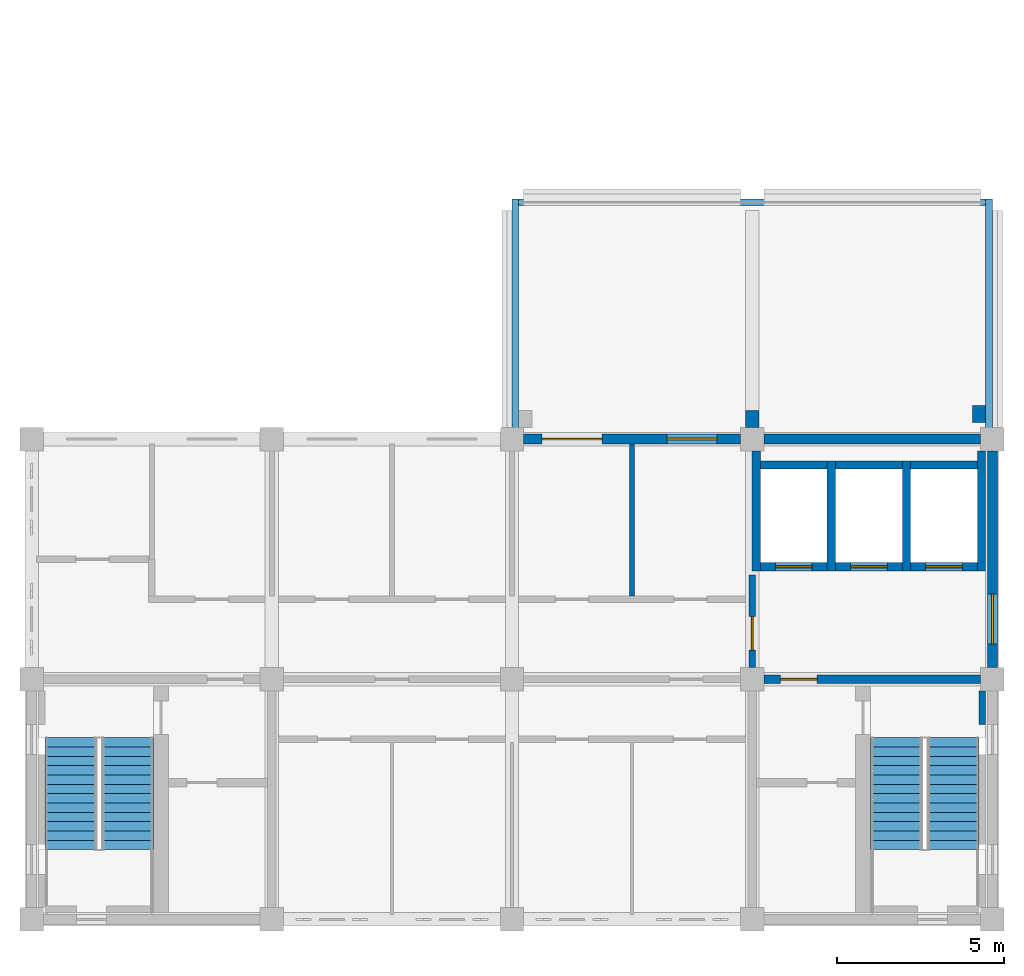
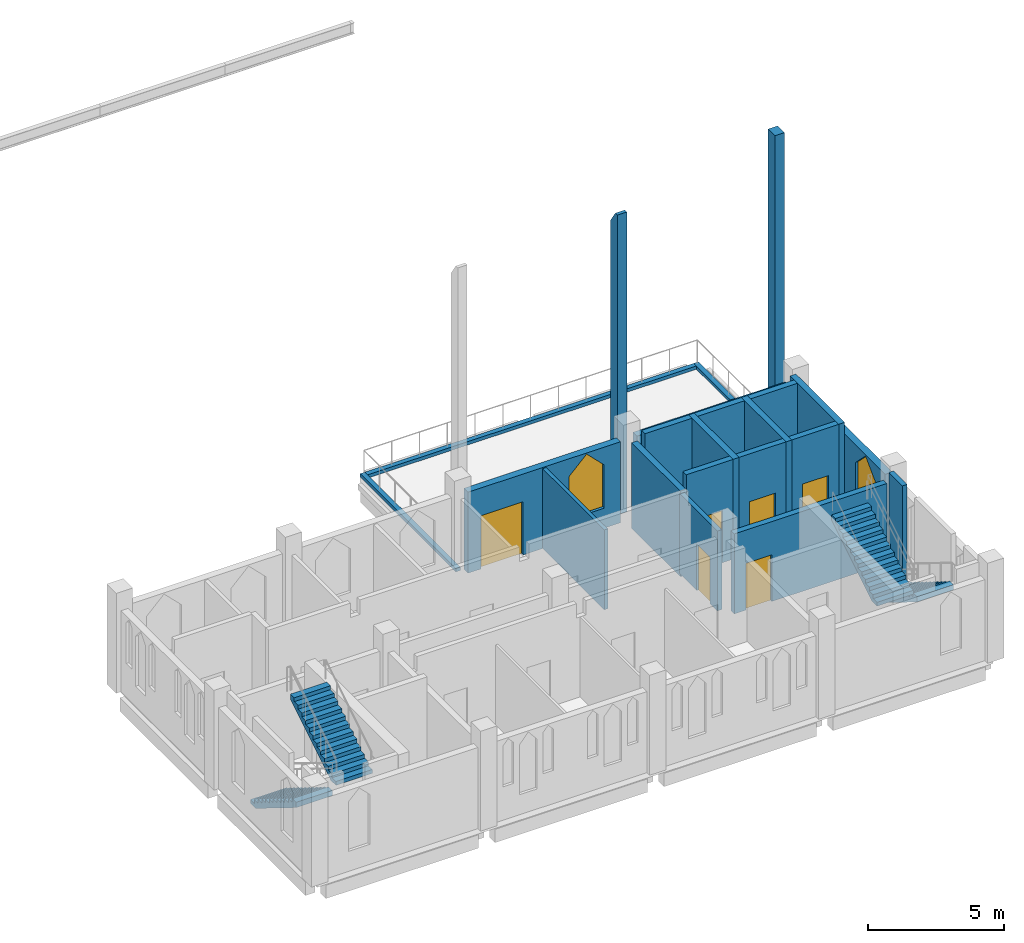
# One storey, part 4 of 5: 22 walls, 6 doors, 4 stair flights, 2 windows, 8 openings, 2 elements without a shape of their own.
"""IFC4 building model written with IfcOpenShell, lengths in metres."""

from ifc_helpers import new_model, si_unit, direction, frame, frame_2d, origin, place, context, subcontext, project, spatial, polyline, rectangle, outline, extrude, material, layer, layer_set, type_object, element, fill, aggregate, save


model = new_model("IFC4")

# Units and contexts
model_context = context("Model", 3, precision=1e-05, world=origin(), true_north=direction((0.0, 1.0)))
body_context = subcontext(model_context, "Body", "Model", "MODEL_VIEW")
ifc_project = project(units=[si_unit("LENGTHUNIT", "METRE"), si_unit("AREAUNIT", "SQUARE_METRE"), si_unit("VOLUMEUNIT", "CUBIC_METRE"), si_unit("PLANEANGLEUNIT", "RADIAN"), si_unit("MASSUNIT", "GRAM", prefix="KILO")], contexts=[model_context])

# Site, building, storey
site_placement = place(None, origin())
site = spatial("IfcSite", under=ifc_project, at=site_placement, CompositionType="ELEMENT")
building_placement = place(site_placement, origin())
building = spatial("IfcBuilding", under=site, at=building_placement, Name="Silangan Lancet Faculty of Sciences", CompositionType="ELEMENT")
storey_placement = place(building_placement, frame((0.0, 0.0, 67.800048828125)))
storey = spatial("IfcBuildingStorey", under=building, at=storey_placement, Name="L14", CompositionType="ELEMENT", Elevation=67.800048828125)

# Wall, opening, window
ifc_material_1 = material(Name="Concrete C40/50 precast", Category="concrete")
ifc_layer_1 = layer(ifc_material_1, 0.300048828125)
ifc_layer_set_1 = layer_set([ifc_layer_1], Name="Concrete C40/50 precast")
wall_type_1 = type_object("IfcWallType", Name="EW1 Precast cladding wall", PredefinedType="STANDARD", material=ifc_layer_set_1)
wall_1_placement = place(storey_placement, frame((28.800048828125, 7.550048828125, 0.0), z_axis=(0.0, 0.0, 1.0), x_axis=(0.0, 1.0, 0.0)))
wall_1 = element("IfcWall", 1, at=wall_1_placement, inside=storey, type_object=wall_type_1, Name="EW-L14-E-ST-U-01", PredefinedType="STANDARD", context=body_context, shape_type="SweptSolid", body=[
    extrude(rectangle(XDim=6.5, YDim=0.300048828125, at=frame_2d((3.25, 0.0))), origin(), (0.0, 0.0, 1.0), 3.64990234375),
])
opening_1_placement = place(wall_1_placement, frame((0.699951171875, 0.0, 0.89990234375)))
opening_1 = element("IfcOpeningElement", 2, at=opening_1_placement, cuts=wall_1, Name="Opening W23", PredefinedType="OPENING", context=body_context, shape_type="SweptSolid", body=[
    extrude(outline(polyline([(0.0, 0.0), (1.5, 0.0), (1.5, 1.949951171875), (0.75, 2.699951171875), (0.0, 1.949951171875), (0.0, 0.0)])), frame((0.0, 0.159912109375, 0.0), z_axis=(0.0, -1.0, 0.0), x_axis=(1.0, 0.0, 0.0)), (0.0, 0.0, 1.0), 0.320068359375),
])
ifc_material_2 = material(Name="Aluminium frame, laminated double glazing", Category="aluminium")
window_type = type_object("IfcWindowType", Name="W23 Lancet window 1500 x 2700", PartitioningType="SINGLE_PANEL", PredefinedType="WINDOW", material=ifc_material_2)
window_1_placement = place(opening_1_placement, origin())
window_1 = element("IfcWindow", 3, at=window_1_placement, inside=storey, type_object=window_type, Name="WIN-L14-E-ST-U-01a", OverallHeight=2.699951171875, OverallWidth=1.5, PartitioningType="SINGLE_PANEL", PredefinedType="WINDOW", context=body_context, shape_type="SweptSolid", body=[
    extrude(outline(polyline([(0.0, 0.0), (1.5, 0.0), (1.5, 1.949951171875), (0.75, 2.699951171875), (0.0, 1.949951171875), (0.0, 0.0)])), frame((0.0, 0.030029296875, 0.0), z_axis=(0.0, -1.0, 0.0), x_axis=(1.0, 0.0, 0.0)), (0.0, 0.0, 1.0), 0.06005859375),
])
fill(opening_1, window_1)

# Wall
wall_2_placement = place(storey_placement, frame((28.449951171875, 14.39990234375, 0.0), z_axis=(0.0, 0.0, 1.0), x_axis=(-1.0, 0.0, 0.0)))
element("IfcWall", 4, at=wall_2_placement, inside=storey, type_object=wall_type_1, Name="EW-L14-N-ST-U-00", PredefinedType="STANDARD", context=body_context, shape_type="SweptSolid", body=[
    extrude(rectangle(XDim=6.5, YDim=0.300048828125, at=frame_2d((3.25, 0.0))), origin(), (0.0, 0.0, 1.0), 3.64990234375),
])

# Wall, openings, window, door
wall_3_placement = place(storey_placement, frame((21.25, 14.39990234375, 0.0), z_axis=(0.0, 0.0, 1.0), x_axis=(-1.0, 0.0, 0.0)))
wall_3 = element("IfcWall", 5, at=wall_3_placement, inside=storey, type_object=wall_type_1, Name="EW-L14-N-ST-U-01", PredefinedType="STANDARD", context=body_context, shape_type="SweptSolid", body=[
    extrude(rectangle(XDim=6.5, YDim=0.300048828125, at=frame_2d((3.25, 0.0))), origin(), (0.0, 0.0, 1.0), 3.64990234375),
])
opening_2_placement = place(wall_3_placement, frame((4.14990234375, 0.0, 0.0)))
opening_2 = element("IfcOpeningElement", 6, at=opening_2_placement, cuts=wall_3, Name="Opening L14-901", PredefinedType="OPENING", context=body_context, shape_type="SweptSolid", body=[
    extrude(rectangle(XDim=1.800048828125, YDim=2.39990234375, at=frame_2d((0.89990234375, 1.199951171875))), frame((0.0, 0.159912109375, 0.0), z_axis=(0.0, -1.0, 0.0), x_axis=(1.0, 0.0, 0.0)), (0.0, 0.0, 1.0), 0.320068359375),
])
opening_3_placement = place(wall_3_placement, frame((0.699951171875, 0.0, 0.89990234375)))
opening_3 = element("IfcOpeningElement", 7, at=opening_3_placement, cuts=wall_3, Name="Opening W23", PredefinedType="OPENING", context=body_context, shape_type="SweptSolid", body=[
    extrude(outline(polyline([(0.0, 0.0), (1.5, 0.0), (1.5, 1.949951171875), (0.75, 2.699951171875), (0.0, 1.949951171875), (0.0, 0.0)])), frame((0.0, 0.159912109375, 0.0), z_axis=(0.0, -1.0, 0.0), x_axis=(1.0, 0.0, 0.0)), (0.0, 0.0, 1.0), 0.320068359375),
])
window_2_placement = place(opening_3_placement, origin())
window_2 = element("IfcWindow", 8, at=window_2_placement, inside=storey, type_object=window_type, Name="WIN-L14-N-ST-U-01a", OverallHeight=2.699951171875, OverallWidth=1.5, PartitioningType="SINGLE_PANEL", PredefinedType="WINDOW", context=body_context, shape_type="SweptSolid", body=[
    extrude(outline(polyline([(0.0, 0.0), (1.5, 0.0), (1.5, 1.949951171875), (0.75, 2.699951171875), (0.0, 1.949951171875), (0.0, 0.0)])), frame((0.0, 0.030029296875, 0.0), z_axis=(0.0, -1.0, 0.0), x_axis=(1.0, 0.0, 0.0)), (0.0, 0.0, 1.0), 0.06005859375),
])
fill(opening_3, window_2)
ifc_material_3 = material(Name="Aluminium frame, laminated glazing", Category="aluminium")
door_type_1 = type_object("IfcDoorType", Name="XD3 Terrace door pair 1800 x 2400", OperationType="DOUBLE_DOOR_SINGLE_SWING", PredefinedType="DOOR", material=ifc_material_3)
door_1_placement = place(opening_2_placement, frame((1.800048828125, 0.0, 0.0), z_axis=(0.0, 0.0, 1.0), x_axis=(-1.0, 0.0, 0.0)))
door_1 = element("IfcDoor", 9, at=door_1_placement, inside=storey, type_object=door_type_1, Name="DOOR-L14-901", OperationType="DOUBLE_DOOR_SINGLE_SWING", OverallHeight=2.39990234375, OverallWidth=1.800048828125, PredefinedType="DOOR", context=body_context, shape_type="SweptSolid", body=[
    extrude(rectangle(XDim=1.800048828125, YDim=2.39990234375, at=frame_2d((0.89990234375, 1.199951171875))), frame((0.0, 0.025146484375, 0.0), z_axis=(0.0, -1.0, 0.0), x_axis=(1.0, 0.0, 0.0)), (0.0, 0.0, 1.0), 0.050048828125),
])
fill(opening_2, door_1)

# Walls
ifc_material_4 = material(Name="Concrete C40/50 precast", Category="concrete")
ifc_layer_2 = layer(ifc_material_4, 0.39990234375)
ifc_layer_set_2 = layer_set([ifc_layer_2], Name="Concrete C40/50 precast")
wall_type_2 = type_object("IfcWallType", Name="FN34 Buttress Fin column line stage 4 13500", PredefinedType="POLYGONAL", material=ifc_layer_set_2)
wall_4_placement = place(storey_placement, frame((21.60009765625, 14.75, 0.0), z_axis=(0.0, 0.0, 1.0), x_axis=(0.0, 1.0, 0.0)))
element("IfcWall", 10, at=wall_4_placement, inside=storey, type_object=wall_type_2, Name="FINC-N-ST-U-01", PredefinedType="POLYGONAL", context=body_context, shape_type="SweptSolid", body=[
    extrude(outline(polyline([(0.5, 0.0), (0.5, 12.974853515625), (0.14990234375, 13.5), (0.0, 13.5), (0.0, 0.0), (0.5, 0.0)])), frame((0.0, 0.199951171875, 0.0), z_axis=(0.0, -1.0, 0.0), x_axis=(1.0, 0.0, 0.0)), (0.0, 0.0, 1.0), 0.39990234375),
])
ifc_material_5 = material(Name="Concrete C40/50 precast", Category="concrete")
ifc_layer_3 = layer(ifc_material_5, 0.39990234375)
ifc_layer_set_3 = layer_set([ifc_layer_3], Name="Concrete C40/50 precast")
wall_type_3 = type_object("IfcWallType", Name="FN42 Buttress Fin column line stage 4 14600", PredefinedType="POLYGONAL", material=ifc_layer_set_3)
wall_5_placement = place(storey_placement, frame((28.39990234375, 14.89990234375, 0.0), z_axis=(0.0, 0.0, 1.0), x_axis=(0.0, 1.0, 0.0)))
element("IfcWall", 11, at=wall_5_placement, inside=storey, type_object=wall_type_3, Name="FINC-N-ST-U-02", PredefinedType="POLYGONAL", context=body_context, shape_type="SweptSolid", body=[
    extrude(outline(polyline([(0.5, 0.0), (0.5, 14.599853515625), (0.0, 14.599853515625), (0.0, 0.0), (0.5, 0.0)])), frame((0.0, 0.199951171875, 0.0), z_axis=(0.0, -1.0, 0.0), x_axis=(1.0, 0.0, 0.0)), (0.0, 0.0, 1.0), 0.39990234375),
])
ifc_material_6 = material(Name="Hollow block masonry fm 7 MPa", Category="masonry")
ifc_layer_4 = layer(ifc_material_6, 0.14990234375)
ifc_layer_set_4 = layer_set([ifc_layer_4], Name="Hollow block masonry fm 7 MPa")
wall_type_4 = type_object("IfcWallType", Name="Interior wall PW3 Partition CHB 150", PredefinedType="PARTITIONING", material=ifc_layer_set_4)
wall_6_placement = place(storey_placement, frame((18.0, 9.699951171875, 0.0), z_axis=(0.0, 0.0, 1.0), x_axis=(0.0, 1.0, 0.0)))
element("IfcWall", 12, at=wall_6_placement, inside=storey, type_object=wall_type_4, Name="Partition CHB 150", PredefinedType="PARTITIONING", context=body_context, shape_type="SweptSolid", body=[
    extrude(rectangle(XDim=4.550048828125, YDim=0.14990234375, at=frame_2d((2.27490234375, 0.0))), origin(), (0.0, 0.0, 1.0), 3.599853515625),
])

# Wall, opening, door
ifc_material_7 = material(Name="Hollow block masonry fm 7 MPa", Category="masonry")
ifc_layer_5 = layer(ifc_material_7, 0.199951171875)
ifc_layer_set_5 = layer_set([ifc_layer_5], Name="Hollow block masonry fm 7 MPa")
wall_type_5 = type_object("IfcWallType", Name="Interior wall PW9 Lift lobby wall CHB 200", PredefinedType="PARTITIONING", material=ifc_layer_set_5)
wall_7_placement = place(storey_placement, frame((21.60009765625, 7.550048828125, 0.0), z_axis=(0.0, 0.0, 1.0), x_axis=(0.0, 1.0, 0.0)))
wall_7 = element("IfcWall", 13, at=wall_7_placement, inside=storey, type_object=wall_type_5, Name="Lift lobby wall CHB 200", PredefinedType="PARTITIONING", context=body_context, shape_type="SweptSolid", body=[
    extrude(rectangle(XDim=2.77490234375, YDim=0.199951171875, at=frame_2d((1.387451171875, 0.0))), origin(), (0.0, 0.0, 1.0), 3.599853515625),
])
opening_4_placement = place(wall_7_placement, frame((0.52490234375, 0.0, 0.0)))
opening_4 = element("IfcOpeningElement", 14, at=opening_4_placement, cuts=wall_7, Name="Opening L14-001", PredefinedType="OPENING", context=body_context, shape_type="SweptSolid", body=[
    extrude(rectangle(XDim=1.0, YDim=2.10009765625, at=frame_2d((0.5, 1.050048828125))), frame((0.0, 0.10986328125, 0.0), z_axis=(0.0, -1.0, 0.0), x_axis=(1.0, 0.0, 0.0)), (0.0, 0.0, 1.0), 0.219970703125),
])
ifc_material_8 = material(Name="Steel fire door set", Category="steel")
door_type_2 = type_object("IfcDoorType", Name="Door D1 Single leaf fire door 1000 x 2100", OperationType="SINGLE_SWING_LEFT", PredefinedType="DOOR", material=ifc_material_8)
door_2_placement = place(opening_4_placement, origin())
door_2 = element("IfcDoor", 15, at=door_2_placement, inside=storey, type_object=door_type_2, Name="Single leaf fire door 1000 x 2100", OperationType="SINGLE_SWING_LEFT", OverallHeight=2.10009765625, OverallWidth=1.0, PredefinedType="DOOR", context=body_context, shape_type="SweptSolid", body=[
    extrude(rectangle(XDim=1.0, YDim=2.10009765625, at=frame_2d((0.5, 1.050048828125))), frame((0.0, 0.02490234375, 0.0), z_axis=(0.0, -1.0, 0.0), x_axis=(1.0, 0.0, 0.0)), (0.0, 0.0, 1.0), 0.050048828125),
])
fill(opening_4, door_2)

# Walls
ifc_material_9 = material(Name="Concrete C40/50", Category="concrete")
ifc_layer_6 = layer(ifc_material_9, 0.25)
ifc_layer_set_6 = layer_set([ifc_layer_6], Name="Concrete C40/50")
wall_type_6 = type_object("IfcWallType", Name="LIFT SHAFT WALL RC 250", PredefinedType="SHEAR", material=ifc_layer_set_6)
wall_8_placement = place(storey_placement, frame((21.72509765625, 10.449951171875, -0.25), z_axis=(0.0, 0.0, 1.0), x_axis=(0.0, 1.0, 0.0)))
element("IfcWall", 16, at=wall_8_placement, inside=storey, type_object=wall_type_6, Name="WALL-L14-ST-SW1", PredefinedType="SHEAR", context=body_context, shape_type="SweptSolid", body=[
    extrude(rectangle(XDim=3.60009765625, YDim=0.25, at=frame_2d((1.800048828125, 0.0))), origin(), (0.0, 0.0, 1.0), 3.849853515625),
])
for number, where, z_axis, x_axis, name in (
    (17, (23.97509765625, 10.449951171875, -0.25), (0.0, 0.0, 1.0), (0.0, 1.0, 0.0), "WALL-L14-ST-SW2"),
    (18, (26.22509765625, 10.449951171875, -0.25), (0.0, 0.0, 1.0), (0.0, 1.0, 0.0), "WALL-L14-ST-SW3"),
):
    element("IfcWall", number, at=place(storey_placement, frame(where, z_axis=z_axis, x_axis=x_axis)), inside=storey, type_object=wall_type_6, Name=name, PredefinedType="SHEAR", context=body_context, shape_type="SweptSolid", body=[
        extrude(rectangle(XDim=3.300048828125, YDim=0.25, at=frame_2d((1.64990234375, 0.0))), origin(), (0.0, 0.0, 1.0), 4.5),
    ])
wall_9_placement = place(storey_placement, frame((28.47509765625, 10.449951171875, -0.25), z_axis=(0.0, 0.0, 1.0), x_axis=(0.0, 1.0, 0.0)))
element("IfcWall", 19, at=wall_9_placement, inside=storey, type_object=wall_type_6, Name="WALL-L14-ST-SW4", PredefinedType="SHEAR", context=body_context, shape_type="SweptSolid", body=[
    extrude(rectangle(XDim=3.60009765625, YDim=0.25, at=frame_2d((1.800048828125, 0.0))), origin(), (0.0, 0.0, 1.0), 4.5),
])

# Wall, opening, door
wall_10_placement = place(storey_placement, frame((21.85009765625, 10.574951171875, -0.25), z_axis=(0.0, 0.0, 1.0), x_axis=(1.0, 0.0, 0.0)))
wall_10 = element("IfcWall", 20, at=wall_10_placement, inside=storey, type_object=wall_type_6, Name="WALL-L14-ST-L1-F", PredefinedType="SHEAR", context=body_context, shape_type="SweptSolid", body=[
    extrude(rectangle(XDim=2.0, YDim=0.25, at=frame_2d((1.0, 0.0))), origin(), (0.0, 0.0, 1.0), 4.5),
])
opening_5_placement = place(wall_10_placement, frame((0.449951171875, 0.0, 0.25)))
opening_5 = element("IfcOpeningElement", 21, at=opening_5_placement, cuts=wall_10, Name="Opening L14-801", PredefinedType="OPENING", context=body_context, shape_type="SweptSolid", body=[
    extrude(rectangle(XDim=1.10009765625, YDim=2.10009765625, at=frame_2d((0.550048828125, 1.050048828125))), frame((0.0, 0.135009765625, 0.0), z_axis=(0.0, -1.0, 0.0), x_axis=(1.0, 0.0, 0.0)), (0.0, 0.0, 1.0), 0.27001953125),
])
ifc_material_10 = material(Name="Stainless steel sliding door", Category="steel")
door_type_3 = type_object("IfcDoorType", Name="LD1 Lift landing door 1100x2100", OperationType="SLIDING_TO_LEFT", PredefinedType="DOOR", material=ifc_material_10)
door_3_placement = place(opening_5_placement, origin())
door_3 = element("IfcDoor", 22, at=door_3_placement, inside=storey, type_object=door_type_3, Name="Landing door ST-L1 L14", OperationType="SLIDING_TO_LEFT", OverallHeight=2.10009765625, OverallWidth=1.10009765625, PredefinedType="DOOR", context=body_context, shape_type="SweptSolid", body=[
    extrude(rectangle(XDim=1.10009765625, YDim=2.10009765625, at=frame_2d((0.550048828125, 1.050048828125))), frame((0.0, 0.02490234375, 0.0), z_axis=(0.0, -1.0, 0.0), x_axis=(1.0, 0.0, 0.0)), (0.0, 0.0, 1.0), 0.050048828125),
])
fill(opening_5, door_3)

# Wall
wall_11_placement = place(storey_placement, frame((21.85009765625, 13.625, -0.25), z_axis=(0.0, 0.0, 1.0), x_axis=(1.0, 0.0, 0.0)))
element("IfcWall", 23, at=wall_11_placement, inside=storey, type_object=wall_type_6, Name="WALL-L14-ST-L1-B", PredefinedType="SHEAR", context=body_context, shape_type="SweptSolid", body=[
    extrude(rectangle(XDim=2.0, YDim=0.25, at=frame_2d((1.0, 0.0))), origin(), (0.0, 0.0, 1.0), 4.5),
])

# Wall, opening, door
wall_12_placement = place(storey_placement, frame((24.10009765625, 10.574951171875, -0.25), z_axis=(0.0, 0.0, 1.0), x_axis=(1.0, 0.0, 0.0)))
wall_12 = element("IfcWall", 24, at=wall_12_placement, inside=storey, type_object=wall_type_6, Name="WALL-L14-ST-L2-F", PredefinedType="SHEAR", context=body_context, shape_type="SweptSolid", body=[
    extrude(rectangle(XDim=2.0, YDim=0.25, at=frame_2d((1.0, 0.0))), origin(), (0.0, 0.0, 1.0), 4.5),
])
opening_6_placement = place(wall_12_placement, frame((0.449951171875, 0.0, 0.25)))
opening_6 = element("IfcOpeningElement", 25, at=opening_6_placement, cuts=wall_12, Name="Opening L14-802", PredefinedType="OPENING", context=body_context, shape_type="SweptSolid", body=[
    extrude(rectangle(XDim=1.10009765625, YDim=2.10009765625, at=frame_2d((0.550048828125, 1.050048828125))), frame((0.0, 0.135009765625, 0.0), z_axis=(0.0, -1.0, 0.0), x_axis=(1.0, 0.0, 0.0)), (0.0, 0.0, 1.0), 0.27001953125),
])
door_4_placement = place(opening_6_placement, origin())
door_4 = element("IfcDoor", 26, at=door_4_placement, inside=storey, type_object=door_type_3, Name="Landing door ST-L2 L14", OperationType="SLIDING_TO_LEFT", OverallHeight=2.10009765625, OverallWidth=1.10009765625, PredefinedType="DOOR", context=body_context, shape_type="SweptSolid", body=[
    extrude(rectangle(XDim=1.10009765625, YDim=2.10009765625, at=frame_2d((0.550048828125, 1.050048828125))), frame((0.0, 0.02490234375, 0.0), z_axis=(0.0, -1.0, 0.0), x_axis=(1.0, 0.0, 0.0)), (0.0, 0.0, 1.0), 0.050048828125),
])
fill(opening_6, door_4)

# Wall
wall_13_placement = place(storey_placement, frame((24.10009765625, 13.625, -0.25), z_axis=(0.0, 0.0, 1.0), x_axis=(1.0, 0.0, 0.0)))
element("IfcWall", 27, at=wall_13_placement, inside=storey, type_object=wall_type_6, Name="WALL-L14-ST-L2-B", PredefinedType="SHEAR", context=body_context, shape_type="SweptSolid", body=[
    extrude(rectangle(XDim=2.0, YDim=0.25, at=frame_2d((1.0, 0.0))), origin(), (0.0, 0.0, 1.0), 4.5),
])

# Wall, opening, door
wall_14_placement = place(storey_placement, frame((26.35009765625, 10.574951171875, -0.25), z_axis=(0.0, 0.0, 1.0), x_axis=(1.0, 0.0, 0.0)))
wall_14 = element("IfcWall", 28, at=wall_14_placement, inside=storey, type_object=wall_type_6, Name="WALL-L14-ST-L3-F", PredefinedType="SHEAR", context=body_context, shape_type="SweptSolid", body=[
    extrude(rectangle(XDim=2.0, YDim=0.25, at=frame_2d((1.0, 0.0))), origin(), (0.0, 0.0, 1.0), 4.5),
])
opening_7_placement = place(wall_14_placement, frame((0.449951171875, 0.0, 0.25)))
opening_7 = element("IfcOpeningElement", 29, at=opening_7_placement, cuts=wall_14, Name="Opening L14-803", PredefinedType="OPENING", context=body_context, shape_type="SweptSolid", body=[
    extrude(rectangle(XDim=1.10009765625, YDim=2.10009765625, at=frame_2d((0.550048828125, 1.050048828125))), frame((0.0, 0.135009765625, 0.0), z_axis=(0.0, -1.0, 0.0), x_axis=(1.0, 0.0, 0.0)), (0.0, 0.0, 1.0), 0.27001953125),
])
door_5_placement = place(opening_7_placement, origin())
door_5 = element("IfcDoor", 30, at=door_5_placement, inside=storey, type_object=door_type_3, Name="Landing door ST-L3 L14", OperationType="SLIDING_TO_LEFT", OverallHeight=2.10009765625, OverallWidth=1.10009765625, PredefinedType="DOOR", context=body_context, shape_type="SweptSolid", body=[
    extrude(rectangle(XDim=1.10009765625, YDim=2.10009765625, at=frame_2d((0.550048828125, 1.050048828125))), frame((0.0, 0.02490234375, 0.0), z_axis=(0.0, -1.0, 0.0), x_axis=(1.0, 0.0, 0.0)), (0.0, 0.0, 1.0), 0.050048828125),
])
fill(opening_7, door_5)

# Walls
wall_15_placement = place(storey_placement, frame((26.35009765625, 13.625, -0.25), z_axis=(0.0, 0.0, 1.0), x_axis=(1.0, 0.0, 0.0)))
element("IfcWall", 31, at=wall_15_placement, inside=storey, type_object=wall_type_6, Name="WALL-L14-ST-L3-B", PredefinedType="SHEAR", context=body_context, shape_type="SweptSolid", body=[
    extrude(rectangle(XDim=2.0, YDim=0.25, at=frame_2d((1.0, 0.0))), origin(), (0.0, 0.0, 1.0), 4.5),
])
ifc_material_11 = material(Name="Concrete C40/50", Category="concrete")
ifc_layer_7 = layer(ifc_material_11, 0.199951171875)
ifc_layer_set_7 = layer_set([ifc_layer_7], Name="Concrete C40/50")
wall_type_7 = type_object("IfcWallType", Name="TURRET LINING WALL RC 200", PredefinedType="SHEAR", material=ifc_layer_set_7)
wall_16_placement = place(storey_placement, frame((28.5, 5.85009765625, -0.25), z_axis=(0.0, 0.0, 1.0), x_axis=(0.0, 1.0, 0.0)))
element("IfcWall", 32, at=wall_16_placement, inside=storey, type_object=wall_type_7, Name="WALL-L14-ST-B-WL-3", PredefinedType="SHEAR", context=body_context, shape_type="SweptSolid", body=[
    extrude(rectangle(XDim=1.0, YDim=0.199951171875, at=frame_2d((0.5, 0.0))), origin(), (0.0, 0.0, 1.0), 4.5),
])

# Wall, opening, door
ifc_material_12 = material(Name="Concrete C40/50", Category="concrete")
ifc_layer_8 = layer(ifc_material_12, 0.25)
ifc_layer_set_8 = layer_set([ifc_layer_8], Name="Concrete C40/50")
wall_type_8 = type_object("IfcWallType", Name="TURRET WALL RC 250", PredefinedType="SHEAR", material=ifc_layer_set_8)
wall_17_placement = place(storey_placement, frame((21.949951171875, 7.199951171875, 0.0), z_axis=(0.0, 0.0, 1.0), x_axis=(1.0, 0.0, 0.0)))
wall_17 = element("IfcWall", 33, at=wall_17_placement, inside=storey, type_object=wall_type_8, Name="WALL-L14-ST-B-V", PredefinedType="SHEAR", context=body_context, shape_type="SweptSolid", body=[
    extrude(rectangle(XDim=6.5, YDim=0.25, at=frame_2d((3.25, 0.0))), origin(), (0.0, 0.0, 1.0), 3.599853515625),
])
opening_8_placement = place(wall_17_placement, frame((0.5, 0.0, 0.0)))
opening_8 = element("IfcOpeningElement", 34, at=opening_8_placement, cuts=wall_17, Name="Opening L14-705", PredefinedType="OPENING", context=body_context, shape_type="SweptSolid", body=[
    extrude(rectangle(XDim=1.10009765625, YDim=2.10009765625, at=frame_2d((0.550048828125, 1.050048828125))), frame((0.0, 0.135009765625, 0.0), z_axis=(0.0, -1.0, 0.0), x_axis=(1.0, 0.0, 0.0)), (0.0, 0.0, 1.0), 0.27001953125),
])
ifc_material_13 = material(Name="Steel fire door set", Category="steel")
door_type_4 = type_object("IfcDoorType", Name="D70 Stair vestibule door 1100x2100", OperationType="SINGLE_SWING_LEFT", PredefinedType="DOOR", material=ifc_material_13)
door_6_placement = place(opening_8_placement, frame((1.10009765625, 0.0, 0.0), z_axis=(0.0, 0.0, 1.0), x_axis=(-1.0, 0.0, 0.0)))
door_6 = element("IfcDoor", 35, at=door_6_placement, inside=storey, type_object=door_type_4, Name="Stair vestibule door ST-B L14", OperationType="SINGLE_SWING_RIGHT", OverallHeight=2.10009765625, OverallWidth=1.10009765625, PredefinedType="DOOR", context=body_context, shape_type="SweptSolid", body=[
    extrude(rectangle(XDim=1.10009765625, YDim=2.10009765625, at=frame_2d((0.550048828125, 1.050048828125))), frame((0.0, 0.025146484375, 0.0), z_axis=(0.0, -1.0, 0.0), x_axis=(1.0, 0.0, 0.0)), (0.0, 0.0, 1.0), 0.050048828125),
])
fill(opening_8, door_6)

# Walls
ifc_material_14 = material(Name="Concrete C35/45", Category="concrete")
ifc_layer_9 = layer(ifc_material_14, 0.199951171875)
ifc_layer_set_9 = layer_set([ifc_layer_9], Name="Concrete C35/45")
wall_type_9 = type_object("IfcWallType", Name="Terrace kerb 200", PredefinedType="STANDARD", material=ifc_layer_set_9)
for number, where, z_axis, x_axis, name in (
    (36, (14.5, 14.550048828125, 0.0), (0.0, 0.0, 1.0), (0.0, 1.0, 0.0), "Terrace kerb ST-T2 W"),
    (37, (28.699951171875, 14.550048828125, 0.0), (0.0, 0.0, 1.0), (0.0, 1.0, 0.0), "Terrace kerb ST-T2 E"),
):
    element("IfcWall", number, at=place(storey_placement, frame(where, z_axis=z_axis, x_axis=x_axis)), inside=storey, type_object=wall_type_9, Name=name, PredefinedType="STANDARD", context=body_context, shape_type="SweptSolid", body=[
        extrude(rectangle(XDim=7.050048828125, YDim=0.199951171875, at=frame_2d((3.52490234375, 0.0))), origin(), (0.0, 0.0, 1.0), 0.14990234375),
    ])
wall_18_placement = place(storey_placement, frame((14.60009765625, 21.5, 0.0), z_axis=(0.0, 0.0, 1.0), x_axis=(1.0, 0.0, 0.0)))
element("IfcWall", 38, at=wall_18_placement, inside=storey, type_object=wall_type_9, Name="Terrace kerb ST-T2 N", PredefinedType="STANDARD", context=body_context, shape_type="SweptSolid", body=[
    extrude(rectangle(XDim=14.0, YDim=0.199951171875, at=frame_2d((7.0, 0.0))), origin(), (0.0, 0.0, 1.0), 0.14990234375),
])

# Stair, stair flights
ifc_material_15 = material(Name="Concrete C40/50", Category="concrete")
stair_type = type_object("IfcStairType", Name="TURRET STAIR 1550 TWO-FLIGHT", PredefinedType="HALF_TURN_STAIR", material=ifc_material_15)
stair_1_placement = place(storey_placement, origin())
stair_1 = element("IfcStair", 39, at=stair_1_placement, inside=storey, type_object=stair_type, Name="ST-A stair L14", PredefinedType="HALF_TURN_STAIR")
ifc_material_16 = material(Name="Concrete C40/50", Category="concrete")
stair_flight_type = type_object("IfcStairFlightType", Name="TURRET STAIR FLIGHT 1550", PredefinedType="STRAIGHT", material=ifc_material_16)
stair_flight_1_placement = place(storey_placement, frame((1.175048828125, 5.449951171875, 0.0), z_axis=(0.0, 0.0, 1.0), x_axis=(0.0, -1.0, 0.0)))
stair_flight_1 = element("IfcStairFlight", 40, at=stair_flight_1_placement, type_object=stair_flight_type, Name="STR1 flight 1", NumberOfRisers=13, NumberOfTreads=12, PredefinedType="STRAIGHT", RiserHeight=0.173076923, TreadLength=0.28, context=body_context, shape_type="SweptSolid", body=[
    extrude(outline(polyline([(0.0, 0.0), (0.0, 0.173095703125), (0.280029296875, 0.173095703125), (0.280029296875, 0.34619140625), (0.56005859375, 0.34619140625), (0.56005859375, 0.519287109375), (0.840087890625, 0.519287109375), (0.840087890625, 0.6923828125), (1.1201171875, 0.6923828125), (1.1201171875, 0.865478515625), (1.39990234375, 0.865478515625), (1.39990234375, 1.03857421875), (1.679931640625, 1.03857421875), (1.679931640625, 1.21142578125), (1.9599609375, 1.21142578125), (1.9599609375, 1.384521484375), (2.239990234375, 1.384521484375), (2.239990234375, 1.5576171875), (2.52001953125, 1.5576171875), (2.52001953125, 1.730712890625), (2.800048828125, 1.730712890625), (2.800048828125, 1.90380859375), (3.080078125, 1.90380859375), (3.080078125, 2.076904296875), (3.360107421875, 2.076904296875), (3.360107421875, 2.25), (3.360107421875, 1.841796875), (0.38037109375, 0.0), (0.0, 0.0)])), frame((0.0, 0.77490234375, 0.0), z_axis=(0.0, -1.0, 0.0), x_axis=(1.0, 0.0, 0.0)), (0.0, 0.0, 1.0), 1.550048828125),
])
stair_flight_2_placement = place(storey_placement, frame((2.875, 2.090087890625, 2.25), z_axis=(0.0, 0.0, 1.0), x_axis=(0.0, 1.0, 0.0)))
stair_flight_2 = element("IfcStairFlight", 41, at=stair_flight_2_placement, type_object=stair_flight_type, Name="STR1 flight 2", NumberOfRisers=13, NumberOfTreads=12, PredefinedType="STRAIGHT", RiserHeight=0.173076923, TreadLength=0.28, context=body_context, shape_type="SweptSolid", body=[
    extrude(outline(polyline([(0.0, 0.0), (0.0, 0.173095703125), (0.280029296875, 0.173095703125), (0.280029296875, 0.34619140625), (0.56005859375, 0.34619140625), (0.56005859375, 0.519287109375), (0.840087890625, 0.519287109375), (0.840087890625, 0.6923828125), (1.1201171875, 0.6923828125), (1.1201171875, 0.865478515625), (1.39990234375, 0.865478515625), (1.39990234375, 1.03857421875), (1.679931640625, 1.03857421875), (1.679931640625, 1.21142578125), (1.9599609375, 1.21142578125), (1.9599609375, 1.384521484375), (2.239990234375, 1.384521484375), (2.239990234375, 1.5576171875), (2.52001953125, 1.5576171875), (2.52001953125, 1.730712890625), (2.800048828125, 1.730712890625), (2.800048828125, 1.90380859375), (3.080078125, 1.90380859375), (3.080078125, 2.076904296875), (3.360107421875, 2.076904296875), (3.360107421875, 2.25), (3.360107421875, 1.841796875), (0.38037109375, 0.0), (0.0, 0.0)])), frame((0.0, 0.77490234375, 0.0), z_axis=(0.0, -1.0, 0.0), x_axis=(1.0, 0.0, 0.0)), (0.0, 0.0, 1.0), 1.550048828125),
])
aggregate(stair_1, [stair_flight_1, stair_flight_2])

stair_2_placement = place(storey_placement, origin())
stair_2 = element("IfcStair", 42, at=stair_2_placement, inside=storey, type_object=stair_type, Name="ST-B stair L14", PredefinedType="HALF_TURN_STAIR")
stair_flight_3_placement = place(storey_placement, frame((27.625, 5.449951171875, 0.0), z_axis=(0.0, 0.0, 1.0), x_axis=(0.0, -1.0, 0.0)))
stair_flight_3 = element("IfcStairFlight", 43, at=stair_flight_3_placement, type_object=stair_flight_type, Name="STR2 flight 1", NumberOfRisers=13, NumberOfTreads=12, PredefinedType="STRAIGHT", RiserHeight=0.173076923, TreadLength=0.28, context=body_context, shape_type="SweptSolid", body=[
    extrude(outline(polyline([(0.0, 0.0), (0.0, 0.173095703125), (0.280029296875, 0.173095703125), (0.280029296875, 0.34619140625), (0.56005859375, 0.34619140625), (0.56005859375, 0.519287109375), (0.840087890625, 0.519287109375), (0.840087890625, 0.6923828125), (1.1201171875, 0.6923828125), (1.1201171875, 0.865478515625), (1.39990234375, 0.865478515625), (1.39990234375, 1.03857421875), (1.679931640625, 1.03857421875), (1.679931640625, 1.21142578125), (1.9599609375, 1.21142578125), (1.9599609375, 1.384521484375), (2.239990234375, 1.384521484375), (2.239990234375, 1.5576171875), (2.52001953125, 1.5576171875), (2.52001953125, 1.730712890625), (2.800048828125, 1.730712890625), (2.800048828125, 1.90380859375), (3.080078125, 1.90380859375), (3.080078125, 2.076904296875), (3.360107421875, 2.076904296875), (3.360107421875, 2.25), (3.360107421875, 1.841796875), (0.38037109375, 0.0), (0.0, 0.0)])), frame((0.0, 0.77490234375, 0.0), z_axis=(0.0, -1.0, 0.0), x_axis=(1.0, 0.0, 0.0)), (0.0, 0.0, 1.0), 1.550048828125),
])
stair_flight_4_placement = place(storey_placement, frame((25.925048828125, 2.090087890625, 2.25), z_axis=(0.0, 0.0, 1.0), x_axis=(0.0, 1.0, 0.0)))
stair_flight_4 = element("IfcStairFlight", 44, at=stair_flight_4_placement, type_object=stair_flight_type, Name="STR2 flight 2", NumberOfRisers=13, NumberOfTreads=12, PredefinedType="STRAIGHT", RiserHeight=0.173076923, TreadLength=0.28, context=body_context, shape_type="SweptSolid", body=[
    extrude(outline(polyline([(0.0, 0.0), (0.0, 0.173095703125), (0.280029296875, 0.173095703125), (0.280029296875, 0.34619140625), (0.56005859375, 0.34619140625), (0.56005859375, 0.519287109375), (0.840087890625, 0.519287109375), (0.840087890625, 0.6923828125), (1.1201171875, 0.6923828125), (1.1201171875, 0.865478515625), (1.39990234375, 0.865478515625), (1.39990234375, 1.03857421875), (1.679931640625, 1.03857421875), (1.679931640625, 1.21142578125), (1.9599609375, 1.21142578125), (1.9599609375, 1.384521484375), (2.239990234375, 1.384521484375), (2.239990234375, 1.5576171875), (2.52001953125, 1.5576171875), (2.52001953125, 1.730712890625), (2.800048828125, 1.730712890625), (2.800048828125, 1.90380859375), (3.080078125, 1.90380859375), (3.080078125, 2.076904296875), (3.360107421875, 2.076904296875), (3.360107421875, 2.25), (3.360107421875, 1.841796875), (0.38037109375, 0.0), (0.0, 0.0)])), frame((0.0, 0.77490234375, 0.0), z_axis=(0.0, -1.0, 0.0), x_axis=(1.0, 0.0, 0.0)), (0.0, 0.0, 1.0), 1.550048828125),
])
aggregate(stair_2, [stair_flight_3, stair_flight_4])

save(model, "model.ifc")
